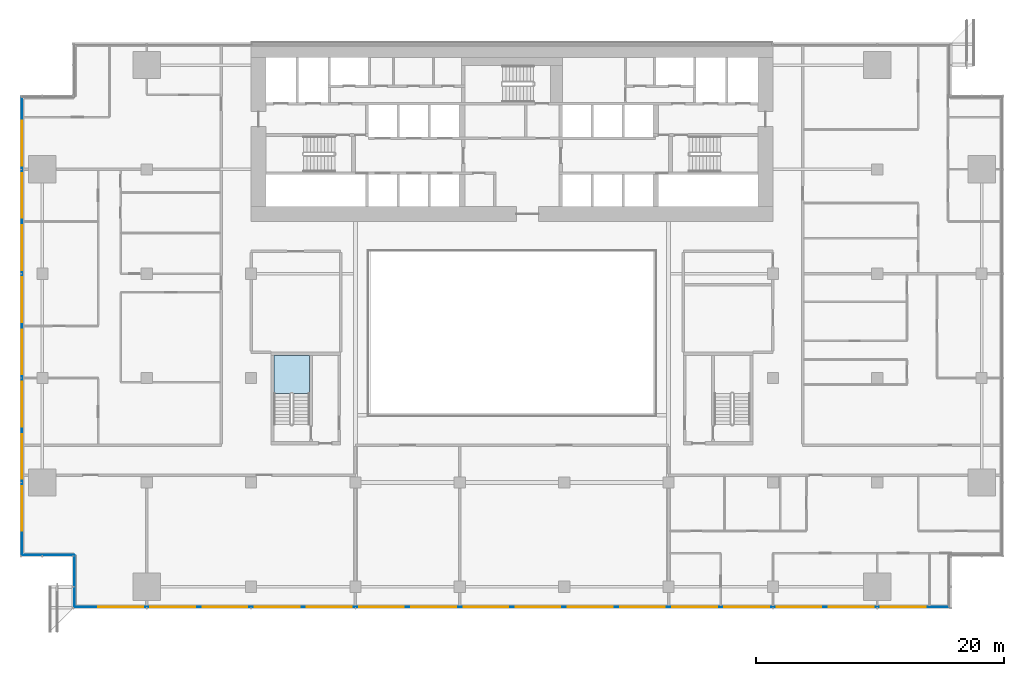
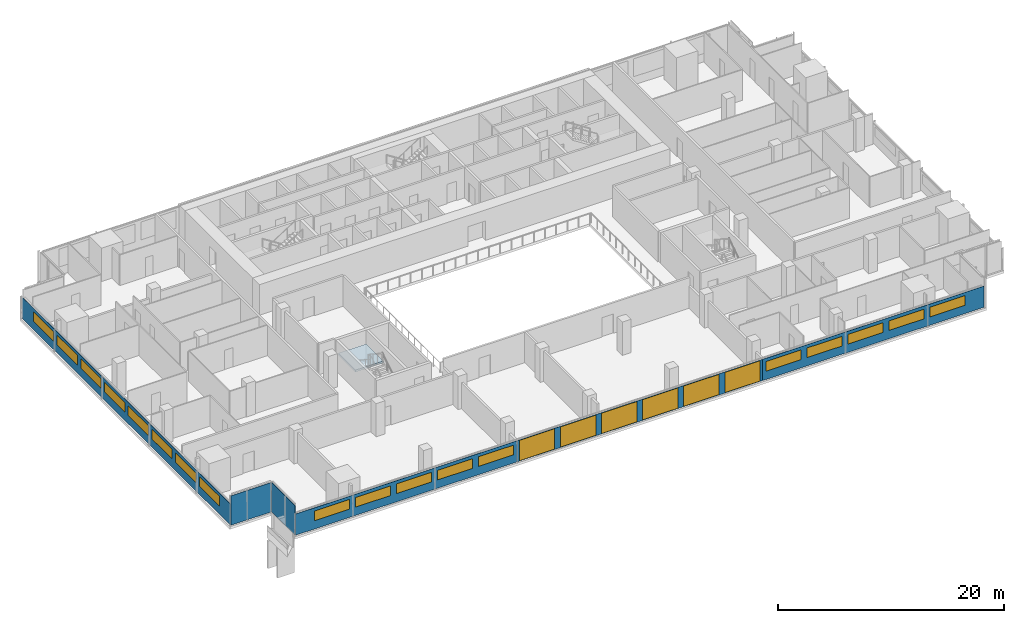
# One storey, part 15 of 25: 24 windows, 6 plates, 1 slab, 24 openings, 5 elements without a shape of their own.
"""IFC4 building model written with IfcOpenShell, lengths in metres."""

from ifc_helpers import new_model, si_unit, direction, frame, frame_2d, origin, place, context, subcontext, project, spatial, polyline, rectangle, outline, extrude, material, layer, layer_set, type_object, element, fill, aggregate, save


model = new_model("IFC4")

# Units and contexts
model_context = context("Model", 3, precision=1e-05, world=origin(), true_north=direction((0.0, 1.0)))
body_context = subcontext(model_context, "Body", "Model", "MODEL_VIEW")
ifc_project = project(units=[si_unit("LENGTHUNIT", "METRE"), si_unit("AREAUNIT", "SQUARE_METRE"), si_unit("VOLUMEUNIT", "CUBIC_METRE"), si_unit("PLANEANGLEUNIT", "RADIAN"), si_unit("MASSUNIT", "GRAM", prefix="KILO")], contexts=[model_context])

# Site, building, storey
site_placement = place(None, origin())
site = spatial("IfcSite", under=ifc_project, at=site_placement, CompositionType="ELEMENT")
building_placement = place(site_placement, origin())
building = spatial("IfcBuilding", under=site, at=building_placement, Name="Saffron Gate Tower", CompositionType="ELEMENT")
storey_placement = place(building_placement, frame((0.0, 0.0, 80.39990234375)))
storey = spatial("IfcBuildingStorey", under=building, at=storey_placement, Name="L19", CompositionType="ELEMENT", Elevation=80.39990234375)

# Curtain wall, plates, openings, windows
ifc_material_1 = material(Name="Aluminium, bronze anodised", Category="aluminium")
curtain_wall_type_1 = type_object("IfcCurtainWallType", Name="CWS1 curtain wall front facade", PredefinedType="NOTDEFINED", material=ifc_material_1)
curtain_wall_1_placement = place(storey_placement, origin())
curtain_wall_1 = element("IfcCurtainWall", 1, at=curtain_wall_1_placement, inside=storey, type_object=curtain_wall_type_1, Name="CWS1 run 1", PredefinedType="NOTDEFINED")
ifc_material_2 = material(Name="Clear low-iron laminated glass", Category="glass")
ifc_layer_1 = layer(ifc_material_2, 0.028076171875)
ifc_layer_set_1 = layer_set([ifc_layer_1], Name="CWS1 clear glass")
plate_type_1 = type_object("IfcPlateType", Name="CWS1 clear glass", PredefinedType="CURTAIN_PANEL", material=ifc_layer_set_1)
plate_1_placement = place(storey_placement, frame((75.030029296875, 30.174072265625, 0.0), z_axis=(0.0, 0.0, 1.0), x_axis=(1.0, 0.0, 0.0)))
plate_1 = element("IfcPlate", 2, at=plate_1_placement, type_object=plate_type_1, Name="CWS1 clear glass panel", PredefinedType="CURTAIN_PANEL", context=body_context, shape_type="SweptSolid", body=[
    extrude(rectangle(XDim=25.139892578125, YDim=0.028076171875, at=frame_2d((12.56982421875, 0.0))), origin(), (0.0, 0.0, 1.0), 2.2900390625),
])
opening_1_placement = place(plate_1_placement, frame((0.27001953125, 0.0, 0.050048828125)))
opening_1 = element("IfcOpeningElement", 3, at=opening_1_placement, cuts=plate_1, Name="Opening WA", PredefinedType="OPENING", context=body_context, shape_type="SweptSolid", body=[
    extrude(rectangle(XDim=3.60009765625, YDim=2.18994140625, at=frame_2d((1.800048828125, 1.094970703125))), frame((0.0, 0.02392578125, 0.0), z_axis=(0.0, -1.0, 0.0), x_axis=(1.0, 0.0, 0.0)), (0.0, 0.0, 1.0), 0.048095703125),
])
opening_2_placement = place(plate_1_placement, frame((4.469970703125, 0.0, 0.050048828125)))
opening_2 = element("IfcOpeningElement", 4, at=opening_2_placement, cuts=plate_1, Name="Opening WA", PredefinedType="OPENING", context=body_context, shape_type="SweptSolid", body=[
    extrude(rectangle(XDim=3.60009765625, YDim=2.18994140625, at=frame_2d((1.800048828125, 1.094970703125))), frame((0.0, 0.02392578125, 0.0), z_axis=(0.0, -1.0, 0.0), x_axis=(1.0, 0.0, 0.0)), (0.0, 0.0, 1.0), 0.048095703125),
])
opening_3_placement = place(plate_1_placement, frame((8.669921875, 0.0, 0.050048828125)))
opening_3 = element("IfcOpeningElement", 5, at=opening_3_placement, cuts=plate_1, Name="Opening WA", PredefinedType="OPENING", context=body_context, shape_type="SweptSolid", body=[
    extrude(rectangle(XDim=3.60009765625, YDim=2.18994140625, at=frame_2d((1.800048828125, 1.094970703125))), frame((0.0, 0.02392578125, 0.0), z_axis=(0.0, -1.0, 0.0), x_axis=(1.0, 0.0, 0.0)), (0.0, 0.0, 1.0), 0.048095703125),
])
opening_4_placement = place(plate_1_placement, frame((12.8701171875, 0.0, 0.050048828125)))
opening_4 = element("IfcOpeningElement", 6, at=opening_4_placement, cuts=plate_1, Name="Opening WA", PredefinedType="OPENING", context=body_context, shape_type="SweptSolid", body=[
    extrude(rectangle(XDim=3.60009765625, YDim=2.18994140625, at=frame_2d((1.800048828125, 1.094970703125))), frame((0.0, 0.02392578125, 0.0), z_axis=(0.0, -1.0, 0.0), x_axis=(1.0, 0.0, 0.0)), (0.0, 0.0, 1.0), 0.048095703125),
])
opening_5_placement = place(plate_1_placement, frame((17.070068359375, 0.0, 0.050048828125)))
opening_5 = element("IfcOpeningElement", 7, at=opening_5_placement, cuts=plate_1, Name="Opening WA", PredefinedType="OPENING", context=body_context, shape_type="SweptSolid", body=[
    extrude(rectangle(XDim=3.60009765625, YDim=2.18994140625, at=frame_2d((1.800048828125, 1.094970703125))), frame((0.0, 0.02392578125, 0.0), z_axis=(0.0, -1.0, 0.0), x_axis=(1.0, 0.0, 0.0)), (0.0, 0.0, 1.0), 0.048095703125),
])
opening_6_placement = place(plate_1_placement, frame((21.27001953125, 0.0, 0.050048828125)))
opening_6 = element("IfcOpeningElement", 8, at=opening_6_placement, cuts=plate_1, Name="Opening WA", PredefinedType="OPENING", context=body_context, shape_type="SweptSolid", body=[
    extrude(rectangle(XDim=3.60009765625, YDim=2.18994140625, at=frame_2d((1.800048828125, 1.094970703125))), frame((0.0, 0.02392578125, 0.0), z_axis=(0.0, -1.0, 0.0), x_axis=(1.0, 0.0, 0.0)), (0.0, 0.0, 1.0), 0.048095703125),
])
ifc_material_3 = material(Name="Clear low-iron laminated glass in bronze frame", Category="glass")
ifc_layer_2 = layer(ifc_material_3, 0.06005859375)
ifc_layer_set_2 = layer_set([ifc_layer_2], Name="WA operable atrium unit 3600x2190")
window_type_1 = type_object("IfcWindowType", Name="WA operable atrium unit 3600x2190", PartitioningType="DOUBLE_PANEL_HORIZONTAL", PredefinedType="WINDOW", material=ifc_layer_set_2)
window_1_placement = place(opening_1_placement, origin())
window_1 = element("IfcWindow", 9, at=window_1_placement, type_object=window_type_1, Name="WA operable atrium unit", OverallHeight=2.18994140625, OverallWidth=3.60009765625, PartitioningType="SINGLE_PANEL", PredefinedType="WINDOW", context=body_context, shape_type="SweptSolid", body=[
    extrude(rectangle(XDim=3.60009765625, YDim=2.18994140625, at=frame_2d((1.800048828125, 1.094970703125))), frame((0.0, 0.013671875, 0.0), z_axis=(0.0, -1.0, 0.0), x_axis=(1.0, 0.0, 0.0)), (0.0, 0.0, 1.0), 0.027587890625),
])
fill(opening_1, window_1)
window_2_placement = place(opening_2_placement, origin())
window_2 = element("IfcWindow", 10, at=window_2_placement, type_object=window_type_1, Name="WA operable atrium unit", OverallHeight=2.18994140625, OverallWidth=3.60009765625, PartitioningType="SINGLE_PANEL", PredefinedType="WINDOW", context=body_context, shape_type="SweptSolid", body=[
    extrude(rectangle(XDim=3.60009765625, YDim=2.18994140625, at=frame_2d((1.800048828125, 1.094970703125))), frame((0.0, 0.013671875, 0.0), z_axis=(0.0, -1.0, 0.0), x_axis=(1.0, 0.0, 0.0)), (0.0, 0.0, 1.0), 0.027587890625),
])
fill(opening_2, window_2)
window_3_placement = place(opening_3_placement, origin())
window_3 = element("IfcWindow", 11, at=window_3_placement, type_object=window_type_1, Name="WA operable atrium unit", OverallHeight=2.18994140625, OverallWidth=3.60009765625, PartitioningType="SINGLE_PANEL", PredefinedType="WINDOW", context=body_context, shape_type="SweptSolid", body=[
    extrude(rectangle(XDim=3.60009765625, YDim=2.18994140625, at=frame_2d((1.800048828125, 1.094970703125))), frame((0.0, 0.013671875, 0.0), z_axis=(0.0, -1.0, 0.0), x_axis=(1.0, 0.0, 0.0)), (0.0, 0.0, 1.0), 0.027587890625),
])
fill(opening_3, window_3)
window_4_placement = place(opening_4_placement, origin())
window_4 = element("IfcWindow", 12, at=window_4_placement, type_object=window_type_1, Name="WA operable atrium unit", OverallHeight=2.18994140625, OverallWidth=3.60009765625, PartitioningType="SINGLE_PANEL", PredefinedType="WINDOW", context=body_context, shape_type="SweptSolid", body=[
    extrude(rectangle(XDim=3.60009765625, YDim=2.18994140625, at=frame_2d((1.800048828125, 1.094970703125))), frame((0.0, 0.013671875, 0.0), z_axis=(0.0, -1.0, 0.0), x_axis=(1.0, 0.0, 0.0)), (0.0, 0.0, 1.0), 0.027587890625),
])
fill(opening_4, window_4)
window_5_placement = place(opening_5_placement, origin())
window_5 = element("IfcWindow", 13, at=window_5_placement, type_object=window_type_1, Name="WA operable atrium unit", OverallHeight=2.18994140625, OverallWidth=3.60009765625, PartitioningType="SINGLE_PANEL", PredefinedType="WINDOW", context=body_context, shape_type="SweptSolid", body=[
    extrude(rectangle(XDim=3.60009765625, YDim=2.18994140625, at=frame_2d((1.800048828125, 1.094970703125))), frame((0.0, 0.013671875, 0.0), z_axis=(0.0, -1.0, 0.0), x_axis=(1.0, 0.0, 0.0)), (0.0, 0.0, 1.0), 0.027587890625),
])
fill(opening_5, window_5)
window_6_placement = place(opening_6_placement, origin())
window_6 = element("IfcWindow", 14, at=window_6_placement, type_object=window_type_1, Name="WA operable atrium unit", OverallHeight=2.18994140625, OverallWidth=3.60009765625, PartitioningType="SINGLE_PANEL", PredefinedType="WINDOW", context=body_context, shape_type="SweptSolid", body=[
    extrude(rectangle(XDim=3.60009765625, YDim=2.18994140625, at=frame_2d((1.800048828125, 1.094970703125))), frame((0.0, 0.013671875, 0.0), z_axis=(0.0, -1.0, 0.0), x_axis=(1.0, 0.0, 0.0)), (0.0, 0.0, 1.0), 0.027587890625),
])
fill(opening_6, window_6)
ifc_material_4 = material(Name="Fritted bronze-tinted laminated glass", Category="glass")
ifc_layer_3 = layer(ifc_material_4, 0.028076171875)
ifc_layer_set_3 = layer_set([ifc_layer_3], Name="CWS1 fixed glass")
plate_type_2 = type_object("IfcPlateType", Name="CWS1 fixed glass", PredefinedType="CURTAIN_PANEL", material=ifc_layer_set_3)
plate_2_placement = place(storey_placement, frame((52.387939453125, 30.174072265625, 0.0), z_axis=(0.0, 0.0, 1.0), x_axis=(1.0, 0.0, 0.0)))
plate_2 = element("IfcPlate", 15, at=plate_2_placement, type_object=plate_type_2, Name="CWS1 glass panel", PredefinedType="CURTAIN_PANEL", context=body_context, shape_type="SweptSolid", body=[
    extrude(rectangle(XDim=22.64208984375, YDim=0.028076171875, at=frame_2d((11.321044921875, 0.0))), origin(), (0.0, 0.0, 1.0), 2.2900390625),
])
opening_7_placement = place(plate_2_placement, frame((1.912109375, 0.0, 0.89990234375)))
opening_7 = element("IfcOpeningElement", 16, at=opening_7_placement, cuts=plate_2, Name="Opening W11", PredefinedType="OPENING", context=body_context, shape_type="SweptSolid", body=[
    extrude(rectangle(XDim=3.60009765625, YDim=1.0400390625, at=frame_2d((1.800048828125, 0.52001953125))), frame((0.0, 0.02392578125, 0.0), z_axis=(0.0, -1.0, 0.0), x_axis=(1.0, 0.0, 0.0)), (0.0, 0.0, 1.0), 0.048095703125),
])
opening_8_placement = place(plate_2_placement, frame((6.112060546875, 0.0, 0.89990234375)))
opening_8 = element("IfcOpeningElement", 17, at=opening_8_placement, cuts=plate_2, Name="Opening W11", PredefinedType="OPENING", context=body_context, shape_type="SweptSolid", body=[
    extrude(rectangle(XDim=3.60009765625, YDim=1.0400390625, at=frame_2d((1.800048828125, 0.52001953125))), frame((0.0, 0.02392578125, 0.0), z_axis=(0.0, -1.0, 0.0), x_axis=(1.0, 0.0, 0.0)), (0.0, 0.0, 1.0), 0.048095703125),
])
opening_9_placement = place(plate_2_placement, frame((10.31201171875, 0.0, 0.89990234375)))
opening_9 = element("IfcOpeningElement", 18, at=opening_9_placement, cuts=plate_2, Name="Opening W11", PredefinedType="OPENING", context=body_context, shape_type="SweptSolid", body=[
    extrude(rectangle(XDim=3.60009765625, YDim=1.0400390625, at=frame_2d((1.800048828125, 0.52001953125))), frame((0.0, 0.02392578125, 0.0), z_axis=(0.0, -1.0, 0.0), x_axis=(1.0, 0.0, 0.0)), (0.0, 0.0, 1.0), 0.048095703125),
])
opening_10_placement = place(plate_2_placement, frame((14.511962890625, 0.0, 0.89990234375)))
opening_10 = element("IfcOpeningElement", 19, at=opening_10_placement, cuts=plate_2, Name="Opening W11", PredefinedType="OPENING", context=body_context, shape_type="SweptSolid", body=[
    extrude(rectangle(XDim=3.60009765625, YDim=1.0400390625, at=frame_2d((1.800048828125, 0.52001953125))), frame((0.0, 0.02392578125, 0.0), z_axis=(0.0, -1.0, 0.0), x_axis=(1.0, 0.0, 0.0)), (0.0, 0.0, 1.0), 0.048095703125),
])
opening_11_placement = place(plate_2_placement, frame((18.7119140625, 0.0, 0.89990234375)))
opening_11 = element("IfcOpeningElement", 20, at=opening_11_placement, cuts=plate_2, Name="Opening W11", PredefinedType="OPENING", context=body_context, shape_type="SweptSolid", body=[
    extrude(rectangle(XDim=3.60009765625, YDim=1.0400390625, at=frame_2d((1.800048828125, 0.52001953125))), frame((0.0, 0.02392578125, 0.0), z_axis=(0.0, -1.0, 0.0), x_axis=(1.0, 0.0, 0.0)), (0.0, 0.0, 1.0), 0.048095703125),
])
ifc_material_5 = material(Name="Fritted bronze-tinted laminated glass in bronze frame", Category="glass")
ifc_layer_4 = layer(ifc_material_5, 0.06005859375)
ifc_layer_set_4 = layer_set([ifc_layer_4], Name="W11 operable panel 3600x1040")
window_type_2 = type_object("IfcWindowType", Name="W11 operable panel 3600x1040", PartitioningType="DOUBLE_PANEL_HORIZONTAL", PredefinedType="WINDOW", material=ifc_layer_set_4)
window_7_placement = place(opening_7_placement, origin())
window_7 = element("IfcWindow", 21, at=window_7_placement, type_object=window_type_2, Name="W11 operable panel", OverallHeight=1.0400390625, OverallWidth=3.60009765625, PartitioningType="SINGLE_PANEL", PredefinedType="WINDOW", context=body_context, shape_type="SweptSolid", body=[
    extrude(rectangle(XDim=3.60009765625, YDim=1.0400390625, at=frame_2d((1.800048828125, 0.52001953125))), frame((0.0, 0.013671875, 0.0), z_axis=(0.0, -1.0, 0.0), x_axis=(1.0, 0.0, 0.0)), (0.0, 0.0, 1.0), 0.027587890625),
])
fill(opening_7, window_7)
window_8_placement = place(opening_8_placement, origin())
window_8 = element("IfcWindow", 22, at=window_8_placement, type_object=window_type_2, Name="W11 operable panel", OverallHeight=1.0400390625, OverallWidth=3.60009765625, PartitioningType="SINGLE_PANEL", PredefinedType="WINDOW", context=body_context, shape_type="SweptSolid", body=[
    extrude(rectangle(XDim=3.60009765625, YDim=1.0400390625, at=frame_2d((1.800048828125, 0.52001953125))), frame((0.0, 0.013671875, 0.0), z_axis=(0.0, -1.0, 0.0), x_axis=(1.0, 0.0, 0.0)), (0.0, 0.0, 1.0), 0.027587890625),
])
fill(opening_8, window_8)
window_9_placement = place(opening_9_placement, origin())
window_9 = element("IfcWindow", 23, at=window_9_placement, type_object=window_type_2, Name="W11 operable panel", OverallHeight=1.0400390625, OverallWidth=3.60009765625, PartitioningType="SINGLE_PANEL", PredefinedType="WINDOW", context=body_context, shape_type="SweptSolid", body=[
    extrude(rectangle(XDim=3.60009765625, YDim=1.0400390625, at=frame_2d((1.800048828125, 0.52001953125))), frame((0.0, 0.013671875, 0.0), z_axis=(0.0, -1.0, 0.0), x_axis=(1.0, 0.0, 0.0)), (0.0, 0.0, 1.0), 0.027587890625),
])
fill(opening_9, window_9)
window_10_placement = place(opening_10_placement, origin())
window_10 = element("IfcWindow", 24, at=window_10_placement, type_object=window_type_2, Name="W11 operable panel", OverallHeight=1.0400390625, OverallWidth=3.60009765625, PartitioningType="SINGLE_PANEL", PredefinedType="WINDOW", context=body_context, shape_type="SweptSolid", body=[
    extrude(rectangle(XDim=3.60009765625, YDim=1.0400390625, at=frame_2d((1.800048828125, 0.52001953125))), frame((0.0, 0.013671875, 0.0), z_axis=(0.0, -1.0, 0.0), x_axis=(1.0, 0.0, 0.0)), (0.0, 0.0, 1.0), 0.027587890625),
])
fill(opening_10, window_10)
window_11_placement = place(opening_11_placement, origin())
window_11 = element("IfcWindow", 25, at=window_11_placement, type_object=window_type_2, Name="W11 operable panel", OverallHeight=1.0400390625, OverallWidth=3.60009765625, PartitioningType="SINGLE_PANEL", PredefinedType="WINDOW", context=body_context, shape_type="SweptSolid", body=[
    extrude(rectangle(XDim=3.60009765625, YDim=1.0400390625, at=frame_2d((1.800048828125, 0.52001953125))), frame((0.0, 0.013671875, 0.0), z_axis=(0.0, -1.0, 0.0), x_axis=(1.0, 0.0, 0.0)), (0.0, 0.0, 1.0), 0.027587890625),
])
fill(opening_11, window_11)
plate_3_placement = place(storey_placement, frame((100.169921875, 30.174072265625, 0.0), z_axis=(0.0, 0.0, 1.0), x_axis=(1.0, 0.0, 0.0)))
plate_3 = element("IfcPlate", 26, at=plate_3_placement, type_object=plate_type_2, Name="CWS1 glass panel", PredefinedType="CURTAIN_PANEL", context=body_context, shape_type="SweptSolid", body=[
    extrude(rectangle(XDim=22.64208984375, YDim=0.028076171875, at=frame_2d((11.321044921875, 0.0))), origin(), (0.0, 0.0, 1.0), 2.2900390625),
])
opening_12_placement = place(plate_3_placement, frame((0.330078125, 0.0, 0.89990234375)))
opening_12 = element("IfcOpeningElement", 27, at=opening_12_placement, cuts=plate_3, Name="Opening W11", PredefinedType="OPENING", context=body_context, shape_type="SweptSolid", body=[
    extrude(rectangle(XDim=3.60009765625, YDim=1.0400390625, at=frame_2d((1.800048828125, 0.52001953125))), frame((0.0, 0.02392578125, 0.0), z_axis=(0.0, -1.0, 0.0), x_axis=(1.0, 0.0, 0.0)), (0.0, 0.0, 1.0), 0.048095703125),
])
opening_13_placement = place(plate_3_placement, frame((4.530029296875, 0.0, 0.89990234375)))
opening_13 = element("IfcOpeningElement", 28, at=opening_13_placement, cuts=plate_3, Name="Opening W11", PredefinedType="OPENING", context=body_context, shape_type="SweptSolid", body=[
    extrude(rectangle(XDim=3.60009765625, YDim=1.0400390625, at=frame_2d((1.800048828125, 0.52001953125))), frame((0.0, 0.02392578125, 0.0), z_axis=(0.0, -1.0, 0.0), x_axis=(1.0, 0.0, 0.0)), (0.0, 0.0, 1.0), 0.048095703125),
])
opening_14_placement = place(plate_3_placement, frame((8.72998046875, 0.0, 0.89990234375)))
opening_14 = element("IfcOpeningElement", 29, at=opening_14_placement, cuts=plate_3, Name="Opening W11", PredefinedType="OPENING", context=body_context, shape_type="SweptSolid", body=[
    extrude(rectangle(XDim=3.60009765625, YDim=1.0400390625, at=frame_2d((1.800048828125, 0.52001953125))), frame((0.0, 0.02392578125, 0.0), z_axis=(0.0, -1.0, 0.0), x_axis=(1.0, 0.0, 0.0)), (0.0, 0.0, 1.0), 0.048095703125),
])
opening_15_placement = place(plate_3_placement, frame((12.929931640625, 0.0, 0.89990234375)))
opening_15 = element("IfcOpeningElement", 30, at=opening_15_placement, cuts=plate_3, Name="Opening W11", PredefinedType="OPENING", context=body_context, shape_type="SweptSolid", body=[
    extrude(rectangle(XDim=3.60009765625, YDim=1.0400390625, at=frame_2d((1.800048828125, 0.52001953125))), frame((0.0, 0.02392578125, 0.0), z_axis=(0.0, -1.0, 0.0), x_axis=(1.0, 0.0, 0.0)), (0.0, 0.0, 1.0), 0.048095703125),
])
opening_16_placement = place(plate_3_placement, frame((17.1298828125, 0.0, 0.89990234375)))
opening_16 = element("IfcOpeningElement", 31, at=opening_16_placement, cuts=plate_3, Name="Opening W11", PredefinedType="OPENING", context=body_context, shape_type="SweptSolid", body=[
    extrude(rectangle(XDim=3.60009765625, YDim=1.0400390625, at=frame_2d((1.800048828125, 0.52001953125))), frame((0.0, 0.02392578125, 0.0), z_axis=(0.0, -1.0, 0.0), x_axis=(1.0, 0.0, 0.0)), (0.0, 0.0, 1.0), 0.048095703125),
])
window_12_placement = place(opening_12_placement, origin())
window_12 = element("IfcWindow", 32, at=window_12_placement, type_object=window_type_2, Name="W11 operable panel", OverallHeight=1.0400390625, OverallWidth=3.60009765625, PartitioningType="SINGLE_PANEL", PredefinedType="WINDOW", context=body_context, shape_type="SweptSolid", body=[
    extrude(rectangle(XDim=3.60009765625, YDim=1.0400390625, at=frame_2d((1.800048828125, 0.52001953125))), frame((0.0, 0.013671875, 0.0), z_axis=(0.0, -1.0, 0.0), x_axis=(1.0, 0.0, 0.0)), (0.0, 0.0, 1.0), 0.027587890625),
])
fill(opening_12, window_12)
window_13_placement = place(opening_13_placement, origin())
window_13 = element("IfcWindow", 33, at=window_13_placement, type_object=window_type_2, Name="W11 operable panel", OverallHeight=1.0400390625, OverallWidth=3.60009765625, PartitioningType="SINGLE_PANEL", PredefinedType="WINDOW", context=body_context, shape_type="SweptSolid", body=[
    extrude(rectangle(XDim=3.60009765625, YDim=1.0400390625, at=frame_2d((1.800048828125, 0.52001953125))), frame((0.0, 0.013671875, 0.0), z_axis=(0.0, -1.0, 0.0), x_axis=(1.0, 0.0, 0.0)), (0.0, 0.0, 1.0), 0.027587890625),
])
fill(opening_13, window_13)
window_14_placement = place(opening_14_placement, origin())
window_14 = element("IfcWindow", 34, at=window_14_placement, type_object=window_type_2, Name="W11 operable panel", OverallHeight=1.0400390625, OverallWidth=3.60009765625, PartitioningType="SINGLE_PANEL", PredefinedType="WINDOW", context=body_context, shape_type="SweptSolid", body=[
    extrude(rectangle(XDim=3.60009765625, YDim=1.0400390625, at=frame_2d((1.800048828125, 0.52001953125))), frame((0.0, 0.013671875, 0.0), z_axis=(0.0, -1.0, 0.0), x_axis=(1.0, 0.0, 0.0)), (0.0, 0.0, 1.0), 0.027587890625),
])
fill(opening_14, window_14)
window_15_placement = place(opening_15_placement, origin())
window_15 = element("IfcWindow", 35, at=window_15_placement, type_object=window_type_2, Name="W11 operable panel", OverallHeight=1.0400390625, OverallWidth=3.60009765625, PartitioningType="SINGLE_PANEL", PredefinedType="WINDOW", context=body_context, shape_type="SweptSolid", body=[
    extrude(rectangle(XDim=3.60009765625, YDim=1.0400390625, at=frame_2d((1.800048828125, 0.52001953125))), frame((0.0, 0.013671875, 0.0), z_axis=(0.0, -1.0, 0.0), x_axis=(1.0, 0.0, 0.0)), (0.0, 0.0, 1.0), 0.027587890625),
])
fill(opening_15, window_15)
window_16_placement = place(opening_16_placement, origin())
window_16 = element("IfcWindow", 36, at=window_16_placement, type_object=window_type_2, Name="W11 operable panel", OverallHeight=1.0400390625, OverallWidth=3.60009765625, PartitioningType="SINGLE_PANEL", PredefinedType="WINDOW", context=body_context, shape_type="SweptSolid", body=[
    extrude(rectangle(XDim=3.60009765625, YDim=1.0400390625, at=frame_2d((1.800048828125, 0.52001953125))), frame((0.0, 0.013671875, 0.0), z_axis=(0.0, -1.0, 0.0), x_axis=(1.0, 0.0, 0.0)), (0.0, 0.0, 1.0), 0.027587890625),
])
fill(opening_16, window_16)
aggregate(curtain_wall_1, [plate_2, plate_3, plate_1, window_7, window_8, window_9, window_10, window_11, window_12, window_13, window_14, window_15, window_16, window_1, window_2, window_3, window_4, window_5, window_6])

# Curtain wall, plate, openings, windows
curtain_wall_type_2 = type_object("IfcCurtainWallType", Name="CWS2 curtain wall side facades", PredefinedType="NOTDEFINED", material=ifc_material_1)
curtain_wall_2_placement = place(storey_placement, origin())
curtain_wall_2 = element("IfcCurtainWall", 37, at=curtain_wall_2_placement, inside=storey, type_object=curtain_wall_type_2, Name="CWS2 run 10", PredefinedType="NOTDEFINED")
ifc_layer_5 = layer(ifc_material_4, 0.028076171875)
ifc_layer_set_5 = layer_set([ifc_layer_5], Name="CWS2 fixed glass")
plate_type_3 = type_object("IfcPlateType", Name="CWS2 fixed glass", PredefinedType="CURTAIN_PANEL", material=ifc_layer_set_5)
plate_4_placement = place(storey_placement, frame((48.174072265625, 71.2119140625, 0.0), z_axis=(0.0, 0.0, 1.0), x_axis=(0.0, -1.0, 0.0)))
plate_4 = element("IfcPlate", 38, at=plate_4_placement, type_object=plate_type_3, Name="CWS2 glass panel", PredefinedType="CURTAIN_PANEL", context=body_context, shape_type="SweptSolid", body=[
    extrude(rectangle(XDim=36.823974609375, YDim=0.028076171875, at=frame_2d((18.412109375, 0.0))), origin(), (0.0, 0.0, 1.0), 2.2900390625),
])
opening_17_placement = place(plate_4_placement, frame((1.912109375, 0.0, 0.89990234375)))
opening_17 = element("IfcOpeningElement", 39, at=opening_17_placement, cuts=plate_4, Name="Opening W11", PredefinedType="OPENING", context=body_context, shape_type="SweptSolid", body=[
    extrude(rectangle(XDim=3.60009765625, YDim=1.0400390625, at=frame_2d((1.800048828125, 0.52001953125))), frame((0.0, 0.02392578125, 0.0), z_axis=(0.0, -1.0, 0.0), x_axis=(1.0, 0.0, 0.0)), (0.0, 0.0, 1.0), 0.048095703125),
])
opening_18_placement = place(plate_4_placement, frame((6.112060546875, 0.0, 0.89990234375)))
opening_18 = element("IfcOpeningElement", 40, at=opening_18_placement, cuts=plate_4, Name="Opening W11", PredefinedType="OPENING", context=body_context, shape_type="SweptSolid", body=[
    extrude(rectangle(XDim=3.60009765625, YDim=1.0400390625, at=frame_2d((1.800048828125, 0.52001953125))), frame((0.0, 0.02392578125, 0.0), z_axis=(0.0, -1.0, 0.0), x_axis=(1.0, 0.0, 0.0)), (0.0, 0.0, 1.0), 0.048095703125),
])
opening_19_placement = place(plate_4_placement, frame((10.31201171875, 0.0, 0.89990234375)))
opening_19 = element("IfcOpeningElement", 41, at=opening_19_placement, cuts=plate_4, Name="Opening W11", PredefinedType="OPENING", context=body_context, shape_type="SweptSolid", body=[
    extrude(rectangle(XDim=3.60009765625, YDim=1.0400390625, at=frame_2d((1.800048828125, 0.52001953125))), frame((0.0, 0.02392578125, 0.0), z_axis=(0.0, -1.0, 0.0), x_axis=(1.0, 0.0, 0.0)), (0.0, 0.0, 1.0), 0.048095703125),
])
opening_20_placement = place(plate_4_placement, frame((14.511962890625, 0.0, 0.89990234375)))
opening_20 = element("IfcOpeningElement", 42, at=opening_20_placement, cuts=plate_4, Name="Opening W11", PredefinedType="OPENING", context=body_context, shape_type="SweptSolid", body=[
    extrude(rectangle(XDim=3.60009765625, YDim=1.0400390625, at=frame_2d((1.800048828125, 0.52001953125))), frame((0.0, 0.02392578125, 0.0), z_axis=(0.0, -1.0, 0.0), x_axis=(1.0, 0.0, 0.0)), (0.0, 0.0, 1.0), 0.048095703125),
])
opening_21_placement = place(plate_4_placement, frame((18.7119140625, 0.0, 0.89990234375)))
opening_21 = element("IfcOpeningElement", 43, at=opening_21_placement, cuts=plate_4, Name="Opening W11", PredefinedType="OPENING", context=body_context, shape_type="SweptSolid", body=[
    extrude(rectangle(XDim=3.60009765625, YDim=1.0400390625, at=frame_2d((1.800048828125, 0.52001953125))), frame((0.0, 0.02392578125, 0.0), z_axis=(0.0, -1.0, 0.0), x_axis=(1.0, 0.0, 0.0)), (0.0, 0.0, 1.0), 0.048095703125),
])
opening_22_placement = place(plate_4_placement, frame((22.912109375, 0.0, 0.89990234375)))
opening_22 = element("IfcOpeningElement", 44, at=opening_22_placement, cuts=plate_4, Name="Opening W11", PredefinedType="OPENING", context=body_context, shape_type="SweptSolid", body=[
    extrude(rectangle(XDim=3.60009765625, YDim=1.0400390625, at=frame_2d((1.800048828125, 0.52001953125))), frame((0.0, 0.02392578125, 0.0), z_axis=(0.0, -1.0, 0.0), x_axis=(1.0, 0.0, 0.0)), (0.0, 0.0, 1.0), 0.048095703125),
])
opening_23_placement = place(plate_4_placement, frame((27.112060546875, 0.0, 0.89990234375)))
opening_23 = element("IfcOpeningElement", 45, at=opening_23_placement, cuts=plate_4, Name="Opening W11", PredefinedType="OPENING", context=body_context, shape_type="SweptSolid", body=[
    extrude(rectangle(XDim=3.60009765625, YDim=1.0400390625, at=frame_2d((1.800048828125, 0.52001953125))), frame((0.0, 0.02392578125, 0.0), z_axis=(0.0, -1.0, 0.0), x_axis=(1.0, 0.0, 0.0)), (0.0, 0.0, 1.0), 0.048095703125),
])
opening_24_placement = place(plate_4_placement, frame((31.31201171875, 0.0, 0.89990234375)))
opening_24 = element("IfcOpeningElement", 46, at=opening_24_placement, cuts=plate_4, Name="Opening W11", PredefinedType="OPENING", context=body_context, shape_type="SweptSolid", body=[
    extrude(rectangle(XDim=3.60009765625, YDim=1.0400390625, at=frame_2d((1.800048828125, 0.52001953125))), frame((0.0, 0.02392578125, 0.0), z_axis=(0.0, -1.0, 0.0), x_axis=(1.0, 0.0, 0.0)), (0.0, 0.0, 1.0), 0.048095703125),
])
window_17_placement = place(opening_17_placement, origin())
window_17 = element("IfcWindow", 47, at=window_17_placement, type_object=window_type_2, Name="W11 operable panel", OverallHeight=1.0400390625, OverallWidth=3.60009765625, PartitioningType="SINGLE_PANEL", PredefinedType="WINDOW", context=body_context, shape_type="SweptSolid", body=[
    extrude(rectangle(XDim=3.60009765625, YDim=1.0400390625, at=frame_2d((1.800048828125, 0.52001953125))), frame((0.0, 0.013671875, 0.0), z_axis=(0.0, -1.0, 0.0), x_axis=(1.0, 0.0, 0.0)), (0.0, 0.0, 1.0), 0.027587890625),
])
fill(opening_17, window_17)
window_18_placement = place(opening_18_placement, origin())
window_18 = element("IfcWindow", 48, at=window_18_placement, type_object=window_type_2, Name="W11 operable panel", OverallHeight=1.0400390625, OverallWidth=3.60009765625, PartitioningType="SINGLE_PANEL", PredefinedType="WINDOW", context=body_context, shape_type="SweptSolid", body=[
    extrude(rectangle(XDim=3.60009765625, YDim=1.0400390625, at=frame_2d((1.800048828125, 0.52001953125))), frame((0.0, 0.013671875, 0.0), z_axis=(0.0, -1.0, 0.0), x_axis=(1.0, 0.0, 0.0)), (0.0, 0.0, 1.0), 0.027587890625),
])
fill(opening_18, window_18)
window_19_placement = place(opening_19_placement, origin())
window_19 = element("IfcWindow", 49, at=window_19_placement, type_object=window_type_2, Name="W11 operable panel", OverallHeight=1.0400390625, OverallWidth=3.60009765625, PartitioningType="SINGLE_PANEL", PredefinedType="WINDOW", context=body_context, shape_type="SweptSolid", body=[
    extrude(rectangle(XDim=3.60009765625, YDim=1.0400390625, at=frame_2d((1.800048828125, 0.52001953125))), frame((0.0, 0.013671875, 0.0), z_axis=(0.0, -1.0, 0.0), x_axis=(1.0, 0.0, 0.0)), (0.0, 0.0, 1.0), 0.027587890625),
])
fill(opening_19, window_19)
window_20_placement = place(opening_20_placement, origin())
window_20 = element("IfcWindow", 50, at=window_20_placement, type_object=window_type_2, Name="W11 operable panel", OverallHeight=1.0400390625, OverallWidth=3.60009765625, PartitioningType="SINGLE_PANEL", PredefinedType="WINDOW", context=body_context, shape_type="SweptSolid", body=[
    extrude(rectangle(XDim=3.60009765625, YDim=1.0400390625, at=frame_2d((1.800048828125, 0.52001953125))), frame((0.0, 0.013671875, 0.0), z_axis=(0.0, -1.0, 0.0), x_axis=(1.0, 0.0, 0.0)), (0.0, 0.0, 1.0), 0.027587890625),
])
fill(opening_20, window_20)
window_21_placement = place(opening_21_placement, origin())
window_21 = element("IfcWindow", 51, at=window_21_placement, type_object=window_type_2, Name="W11 operable panel", OverallHeight=1.0400390625, OverallWidth=3.60009765625, PartitioningType="SINGLE_PANEL", PredefinedType="WINDOW", context=body_context, shape_type="SweptSolid", body=[
    extrude(rectangle(XDim=3.60009765625, YDim=1.0400390625, at=frame_2d((1.800048828125, 0.52001953125))), frame((0.0, 0.013671875, 0.0), z_axis=(0.0, -1.0, 0.0), x_axis=(1.0, 0.0, 0.0)), (0.0, 0.0, 1.0), 0.027587890625),
])
fill(opening_21, window_21)
window_22_placement = place(opening_22_placement, origin())
window_22 = element("IfcWindow", 52, at=window_22_placement, type_object=window_type_2, Name="W11 operable panel", OverallHeight=1.0400390625, OverallWidth=3.60009765625, PartitioningType="SINGLE_PANEL", PredefinedType="WINDOW", context=body_context, shape_type="SweptSolid", body=[
    extrude(rectangle(XDim=3.60009765625, YDim=1.0400390625, at=frame_2d((1.800048828125, 0.52001953125))), frame((0.0, 0.013671875, 0.0), z_axis=(0.0, -1.0, 0.0), x_axis=(1.0, 0.0, 0.0)), (0.0, 0.0, 1.0), 0.027587890625),
])
fill(opening_22, window_22)
window_23_placement = place(opening_23_placement, origin())
window_23 = element("IfcWindow", 53, at=window_23_placement, type_object=window_type_2, Name="W11 operable panel", OverallHeight=1.0400390625, OverallWidth=3.60009765625, PartitioningType="SINGLE_PANEL", PredefinedType="WINDOW", context=body_context, shape_type="SweptSolid", body=[
    extrude(rectangle(XDim=3.60009765625, YDim=1.0400390625, at=frame_2d((1.800048828125, 0.52001953125))), frame((0.0, 0.013671875, 0.0), z_axis=(0.0, -1.0, 0.0), x_axis=(1.0, 0.0, 0.0)), (0.0, 0.0, 1.0), 0.027587890625),
])
fill(opening_23, window_23)
window_24_placement = place(opening_24_placement, origin())
window_24 = element("IfcWindow", 54, at=window_24_placement, type_object=window_type_2, Name="W11 operable panel", OverallHeight=1.0400390625, OverallWidth=3.60009765625, PartitioningType="SINGLE_PANEL", PredefinedType="WINDOW", context=body_context, shape_type="SweptSolid", body=[
    extrude(rectangle(XDim=3.60009765625, YDim=1.0400390625, at=frame_2d((1.800048828125, 0.52001953125))), frame((0.0, 0.013671875, 0.0), z_axis=(0.0, -1.0, 0.0), x_axis=(1.0, 0.0, 0.0)), (0.0, 0.0, 1.0), 0.027587890625),
])
fill(opening_24, window_24)
aggregate(curtain_wall_2, [plate_4, window_17, window_18, window_19, window_20, window_21, window_22, window_23, window_24])

# Curtain wall, plate
curtain_wall_type_3 = type_object("IfcCurtainWallType", Name="CWS4 curtain wall corner returns", PredefinedType="NOTDEFINED", material=ifc_material_1)
curtain_wall_3_placement = place(storey_placement, origin())
curtain_wall_3 = element("IfcCurtainWall", 55, at=curtain_wall_3_placement, inside=storey, type_object=curtain_wall_type_3, Name="CWS4 run 11", PredefinedType="NOTDEFINED")
ifc_layer_6 = layer(ifc_material_4, 0.028076171875)
ifc_layer_set_6 = layer_set([ifc_layer_6], Name="CWS4 fixed glass")
plate_type_4 = type_object("IfcPlateType", Name="CWS4 fixed glass", PredefinedType="CURTAIN_PANEL", material=ifc_layer_set_6)
plate_5_placement = place(storey_placement, frame((48.18798828125, 34.3740234375, 0.0), z_axis=(0.0, 0.0, 1.0), x_axis=(1.0, 0.0, 0.0)))
plate_5 = element("IfcPlate", 56, at=plate_5_placement, type_object=plate_type_4, Name="CWS4 glass panel", PredefinedType="CURTAIN_PANEL", context=body_context, shape_type="SweptSolid", body=[
    extrude(rectangle(XDim=4.172119140625, YDim=0.028076171875, at=frame_2d((2.0859375, 0.0))), origin(), (0.0, 0.0, 1.0), 3.18017578125),
])
aggregate(curtain_wall_3, [plate_5])

curtain_wall_4_placement = place(storey_placement, origin())
curtain_wall_4 = element("IfcCurtainWall", 57, at=curtain_wall_4_placement, inside=storey, type_object=curtain_wall_type_3, Name="CWS4 run 12", PredefinedType="NOTDEFINED")
plate_6_placement = place(storey_placement, frame((52.3740234375, 34.360107421875, 0.0), z_axis=(0.0, 0.0, 1.0), x_axis=(0.0, -1.0, 0.0)))
plate_6 = element("IfcPlate", 58, at=plate_6_placement, type_object=plate_type_4, Name="CWS4 glass panel", PredefinedType="CURTAIN_PANEL", context=body_context, shape_type="SweptSolid", body=[
    extrude(rectangle(XDim=4.172119140625, YDim=0.028076171875, at=frame_2d((2.0859375, 0.0))), origin(), (0.0, 0.0, 1.0), 3.18017578125),
])
aggregate(curtain_wall_4, [plate_6])

# Stair, slab
ifc_material_6 = material(Name="Concrete C40", Category="concrete")
stair_type = type_object("IfcStairType", Name="ST7 Stair 1350 wide, 20 risers of 180", PredefinedType="HALF_TURN_STAIR", material=ifc_material_6)
stair_placement = place(storey_placement, origin())
stair = element("IfcStair", 59, at=stair_placement, inside=storey, type_object=stair_type, Name="L19 Exit stair D", PredefinedType="HALF_TURN_STAIR")
ifc_layer_7 = layer(ifc_material_6, 0.199951171875)
ifc_layer_set_7 = layer_set([ifc_layer_7], Name="SL1 Stair landing 200")
slab_type = type_object("IfcSlabType", Name="SL1 Stair landing 200", PredefinedType="LANDING", material=ifc_layer_set_7)
slab_placement = place(storey_placement, frame((0.0, 0.0, 1.60009765625)))
slab = element("IfcSlab", 60, at=slab_placement, type_object=slab_type, Name="ST-D landing 1", PredefinedType="LANDING", context=body_context, shape_type="SweptSolid", body=[
    extrude(outline(polyline([(71.300048828125, 47.3701171875), (71.300048828125, 50.39990234375), (68.449951171875, 50.39990234375), (68.449951171875, 47.3701171875), (71.300048828125, 47.3701171875)])), origin(), (0.0, 0.0, 1.0), 0.199951171875),
])
aggregate(stair, [slab])

save(model, "model.ifc")
